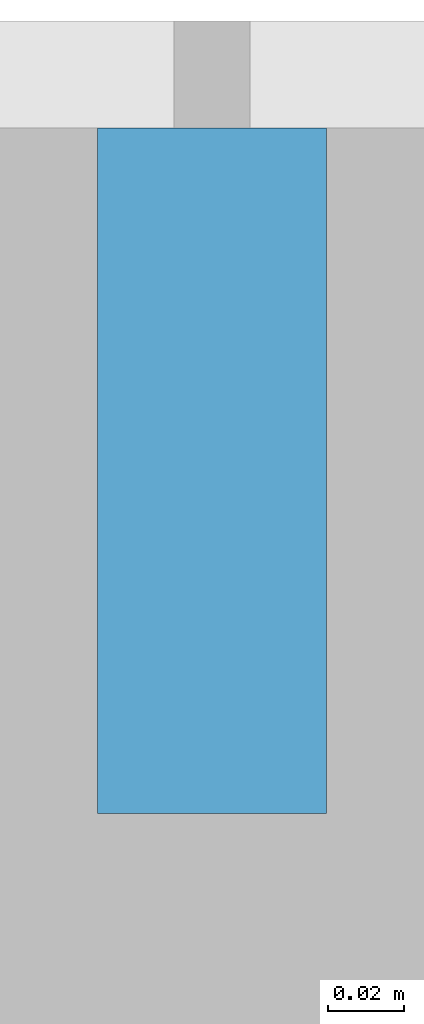
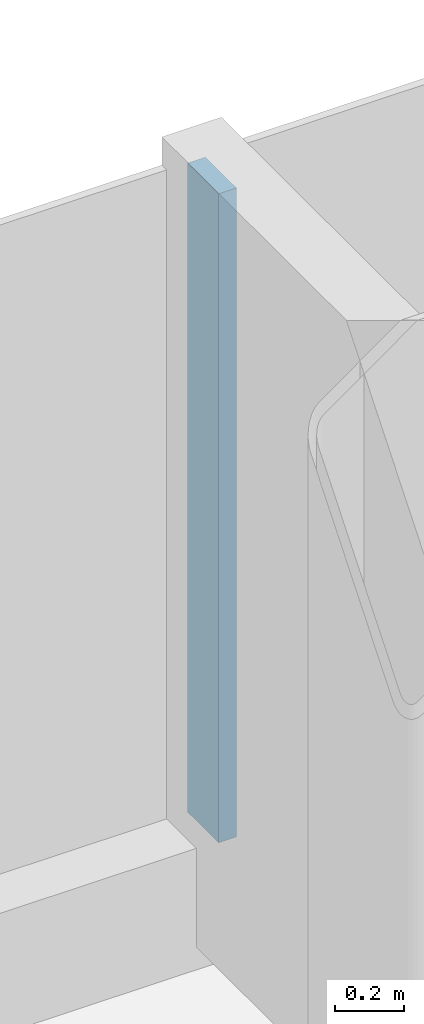
# One storey, part 7 of 26: 1 member, 1 element without a shape of its own.
"""IFC4 building model written with IfcOpenShell, lengths in metres."""

import ifcopenshell
import ifcopenshell.guid

model = None  # the IFC model being written
_history = None  # IfcOwnerHistory: only IFC2X3 demands one
_inside = {}  # id of a spatial element -> (the spatial element, [elements in it])
_under = {}  # id of a project, library or spatial element -> (it, [spatial elements below it])
_declared = {}  # id of a project -> (the project, [libraries it declares])
_typed = {}  # id of a type object -> (the type object, [elements of that type])
_made_of = {}  # id of a material, layer set ... -> (it, [elements and type objects made of it])


def new_model(schema):
    """Start an empty IFC model of exactly this schema.

    Asked for "IFC4X3", IfcOpenShell would pick the latest addendum, in which some entities
    have other attributes; the version numbers below select the first issue.
    IFC2X3 requires an IfcOwnerHistory on every rooted entity: one is made here for all.
    """
    global model, _history
    if schema == "IFC4X3":
        model = ifcopenshell.file(schema_version=(4, 3, 0, 0))
    else:
        model = ifcopenshell.file(schema=schema)
    _inside.clear()
    _under.clear()
    _declared.clear()
    _typed.clear()
    _made_of.clear()
    _history = None
    if model.schema == "IFC2X3":
        org = make("IfcOrganization", Name="unknown")
        user = make(
            "IfcPersonAndOrganization",
            ThePerson=make("IfcPerson", FamilyName="unknown"),
            TheOrganization=org,
        )
        app = make(
            "IfcApplication",
            ApplicationDeveloper=org,
            Version="unknown",
            ApplicationFullName="unknown",
            ApplicationIdentifier="unknown",
        )
        _history = make(
            "IfcOwnerHistory",
            OwningUser=user,
            OwningApplication=app,
            ChangeAction="ADDED",
            CreationDate=0,
        )
    return model


def make(cls, **values):
    """One entity of the class cls with the attributes given. An attribute that is None is left unset."""
    return model.create_entity(
        cls, **{name: value for name, value in values.items() if value is not None}
    )


def rooted(cls, **values):
    """An entity with a GlobalId (a new one), such as an element, a storey or a relation."""
    return make(cls, GlobalId=ifcopenshell.guid.new(), OwnerHistory=_history, **values)


def si_unit(unit_type, name, prefix=None):
    """IfcSIUnit, for example si_unit("LENGTHUNIT", "METRE", prefix="MILLI")."""
    return make("IfcSIUnit", UnitType=unit_type, Prefix=prefix, Name=name)


def assignment(units):
    """IfcUnitAssignment: the units of a project."""
    return None if units is None else make("IfcUnitAssignment", Units=units)


def point(xyz):
    """IfcCartesianPoint."""
    return None if xyz is None else make("IfcCartesianPoint", Coordinates=xyz)


def direction(xyz):
    """IfcDirection."""
    return None if xyz is None else make("IfcDirection", DirectionRatios=xyz)


def frame(location, z_axis=None, x_axis=None):
    """IfcAxis2Placement3D, a coordinate frame: its origin and axes. An axis left out is left unset."""
    return make(
        "IfcAxis2Placement3D",
        Location=point(location),
        Axis=direction(z_axis),
        RefDirection=direction(x_axis),
    )


def frame_2d(location, x_axis=None):
    """IfcAxis2Placement2D, a coordinate frame in the plane: its origin and x axis."""
    return make(
        "IfcAxis2Placement2D", Location=point(location), RefDirection=direction(x_axis)
    )


def origin():
    """The frame at (0, 0, 0) with its axes left unset."""
    return frame((0.0, 0.0, 0.0))


def origin_2d():
    """The frame at (0, 0) in the plane with its x axis left unset."""
    return frame_2d((0.0, 0.0))


def place(relative_to, where):
    """IfcLocalPlacement: puts the frame where relative to a parent placement (None: the world)."""
    return make(
        "IfcLocalPlacement", PlacementRelTo=relative_to, RelativePlacement=where
    )


def context(
    kind, dimensions, precision=None, world=None, true_north=None, identifier=None
):
    """IfcGeometricRepresentationContext, for example the 3D "Model" context."""
    return make(
        "IfcGeometricRepresentationContext",
        ContextIdentifier=identifier,
        ContextType=kind,
        CoordinateSpaceDimension=dimensions,
        Precision=precision,
        WorldCoordinateSystem=world,
        TrueNorth=true_north,
    )


def subcontext(parent, identifier, kind, view, scale=None):
    """IfcGeometricRepresentationSubContext, for example "Body" below "Model"."""
    return make(
        "IfcGeometricRepresentationSubContext",
        ContextIdentifier=identifier,
        ContextType=kind,
        ParentContext=parent,
        TargetScale=scale,
        TargetView=view,
    )


def project(units=None, contexts=None):
    """IfcProject with its units and contexts."""
    return rooted(
        "IfcProject",
        Name="project",
        RepresentationContexts=contexts,
        UnitsInContext=assignment(units),
    )


def spatial(cls, under=None, at=None, **own):
    """A site, building, storey or space (cls), placed at a placement, below another one or the project."""
    s = rooted(cls, ObjectPlacement=at, **own)
    if under is not None:
        _under.setdefault(under.id(), (under, []))[1].append(s)
    return s


def profile(cls, at=None, kind="AREA", **sizes):
    """A parametric profile (cls). Its sizes go by their IFC names, for example OverallWidth=200.0."""
    return make(cls, ProfileType=kind, Position=at, **sizes)


def rectangle(**sizes):
    """IfcRectangleProfileDef."""
    return profile("IfcRectangleProfileDef", **sizes)


def extrude(swept, where, along, depth):
    """IfcExtrudedAreaSolid: the profile swept, set in the frame where, extruded along a direction by depth."""
    return make(
        "IfcExtrudedAreaSolid",
        SweptArea=swept,
        Position=where,
        ExtrudedDirection=direction(along),
        Depth=depth,
    )


def shape(context_of_items, identifier, shape_type, items):
    """IfcShapeRepresentation: the items that make up one representation, for example the "Body"."""
    return make(
        "IfcShapeRepresentation",
        ContextOfItems=context_of_items,
        RepresentationIdentifier=identifier,
        RepresentationType=shape_type,
        Items=items,
    )


def material(Name=None, Category=None):
    """IfcMaterial."""
    return make("IfcMaterial", Name=Name, Category=Category)


def layer(
    of_material, thickness, ventilated=None, Name=None, Category=None, Priority=None
):
    """IfcMaterialLayer: one layer of a wall or slab, of a material (None: an air gap)."""
    return make(
        "IfcMaterialLayer",
        Material=of_material,
        LayerThickness=thickness,
        IsVentilated=ventilated,
        Name=Name,
        Category=Category,
        Priority=Priority,
    )


def layer_set(layers, Name=None):
    """IfcMaterialLayerSet."""
    return make("IfcMaterialLayerSet", MaterialLayers=layers, LayerSetName=Name)


def material_profile(
    of_material, cross_section, Name=None, Category=None, Priority=None
):
    """IfcMaterialProfile: a cross section and its material."""
    return make(
        "IfcMaterialProfile",
        Name=Name,
        Material=of_material,
        Profile=cross_section,
        Priority=Priority,
        Category=Category,
    )


def profile_set(profiles, Name=None, composite=None):
    """IfcMaterialProfileSet."""
    return make(
        "IfcMaterialProfileSet",
        Name=Name,
        MaterialProfiles=profiles,
        CompositeProfile=composite,
    )


def made_of(thing, what):
    """Note that an element or type object is made of a material, layer set ...; save() writes the relation."""
    if what is not None:
        _made_of.setdefault(what.id(), (what, []))[1].append(thing)
    return thing


def type_object(cls, material=None, **own):
    """A type object (cls), such as IfcWallType, which elements share."""
    return made_of(rooted(cls, **own), material)


def element(
    cls,
    number,
    at=None,
    inside=None,
    cuts=None,
    type_object=None,
    material=None,
    context=None,
    identifier="Body",
    shape_type=None,
    held_by="IfcProductDefinitionShape",
    body=None,
    shapes=None,
    **own,
):
    """One element of the class cls, such as IfcWall. Its Tag is "e" and its number.

    at: its placement. inside: the storey or other place that contains it. cuts: it is an
    opening in that element (IfcRelVoidsElement). A single representation is given by context,
    identifier, shape_type and body (its items); several are given by shapes. held_by: the class
    of the entity that holds the representations. save() writes the other relations.
    """
    e = rooted(cls, Tag="e%d" % number, ObjectPlacement=at, **own)
    if body is not None:
        shapes = [shape(context, identifier, shape_type, body)]
    if shapes is not None:
        e.Representation = make(held_by, Representations=shapes)
    if inside is not None:
        _inside.setdefault(inside.id(), (inside, []))[1].append(e)
    if cuts is not None:
        rooted(
            "IfcRelVoidsElement", RelatingBuildingElement=cuts, RelatedOpeningElement=e
        )
    if type_object is not None:
        _typed.setdefault(type_object.id(), (type_object, []))[1].append(e)
    return made_of(e, material)


def aggregate(whole, parts):
    """IfcRelAggregates: a whole, such as a stair, and the parts it consists of."""
    return rooted("IfcRelAggregates", RelatingObject=whole, RelatedObjects=parts)


def save(model, path):
    """Write the relations noted so far, then the file.

    IfcRelAggregates (storeys below a building ...), IfcRelContainedInSpatialStructure (elements
    in a storey), IfcRelDefinesByType, IfcRelAssociatesMaterial and IfcRelDeclares: one each for
    every whole, place, type object, material and project.
    """
    for whole, parts in _under.values():
        aggregate(whole, parts)
    for where, things in _inside.values():
        rooted(
            "IfcRelContainedInSpatialStructure",
            RelatedElements=things,
            RelatingStructure=where,
        )
    for kind, things in _typed.values():
        rooted("IfcRelDefinesByType", RelatedObjects=things, RelatingType=kind)
    for what, things in _made_of.values():
        rooted("IfcRelAssociatesMaterial", RelatedObjects=things, RelatingMaterial=what)
    for by, libraries in _declared.values():
        rooted("IfcRelDeclares", RelatingContext=by, RelatedDefinitions=libraries)
    model.write(path)


model = new_model("IFC4")

# Units and contexts
model_context = context("Model", 3, precision=1e-05, world=origin(), true_north=direction((0.0, 1.0)))
body_context = subcontext(model_context, "Body", "Model", "MODEL_VIEW")
ifc_project = project(units=[si_unit("LENGTHUNIT", "METRE"), si_unit("AREAUNIT", "SQUARE_METRE"), si_unit("VOLUMEUNIT", "CUBIC_METRE"), si_unit("PLANEANGLEUNIT", "RADIAN"), si_unit("MASSUNIT", "GRAM", prefix="KILO")], contexts=[model_context])

# Site, building, storey
site_placement = place(None, origin())
site = spatial("IfcSite", under=ifc_project, at=site_placement, CompositionType="ELEMENT")
building_placement = place(site_placement, origin())
building = spatial("IfcBuilding", under=site, at=building_placement, Name="Hakoniwa Tower and Hamabe Station Hall", CompositionType="ELEMENT")
storey_placement = place(building_placement, frame((0.0, 0.0, 221.800048828125)))
storey = spatial("IfcBuildingStorey", under=building, at=storey_placement, Name="L63", CompositionType="ELEMENT", Elevation=221.800048828125)

# Curtain wall, member
ifc_material_1 = material(Name="Dark low-e laminated glass", Category="glass")
ifc_layer = layer(ifc_material_1, 0.199951171875)
ifc_layer_set = layer_set([ifc_layer], Name="CW-1 UNITISED GUEST")
curtain_wall_type = type_object("IfcCurtainWallType", Name="CW-1 UNITISED GUEST", PredefinedType="NOTDEFINED", material=ifc_layer_set)
curtain_wall_placement = place(storey_placement, origin())
curtain_wall = element("IfcCurtainWall", 1, at=curtain_wall_placement, inside=storey, type_object=curtain_wall_type, Name="CW-1 curtain wall", PredefinedType="NOTDEFINED")
ifc_material_2 = material(Name="Aluminium 6063-T5 black anodised", Category="aluminium")
ifc_material_profile = material_profile(ifc_material_2, rectangle(XDim=0.06005859375, YDim=0.179931640625, at=origin_2d()), Name="CW-1 MULLION 60X180")
ifc_profile_set = profile_set([ifc_material_profile], Name="Aluminium 6063-T5 black anodised")
member_type = type_object("IfcMemberType", Name="CW-1 MULLION 60X180", PredefinedType="MULLION", material=ifc_profile_set)
member_placement = place(storey_placement, frame((0.0, 20.431884765625, 0.349853515625), z_axis=(0.0, 0.0, 1.0), x_axis=(-1.0, 0.0, 0.0)))
member = element("IfcMember", 2, at=member_placement, type_object=member_type, Name="CW-1 mullion", PredefinedType="MULLION", context=body_context, shape_type="SweptSolid", body=[
    extrude(rectangle(XDim=0.06005859375, YDim=0.179931640625, at=origin_2d()), origin(), (0.0, 0.0, 1.0), 2.300048828125),
])
aggregate(curtain_wall, [member])

save(model, "model.ifc")
